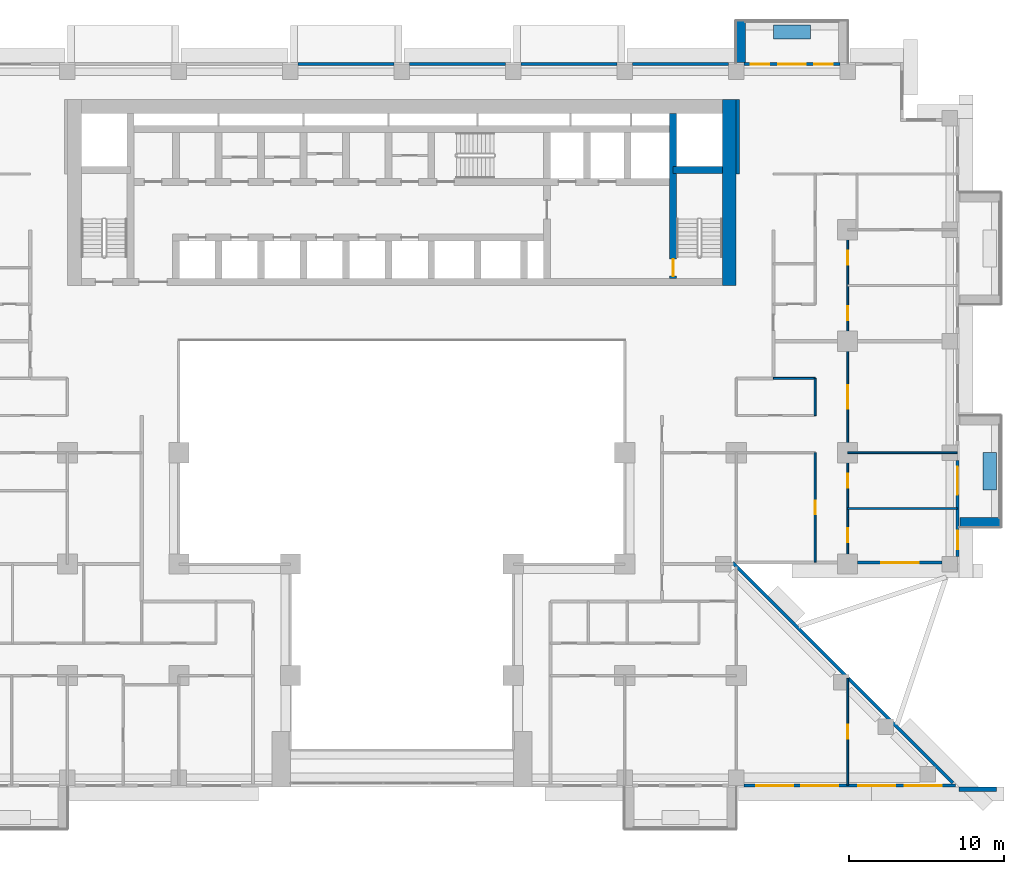
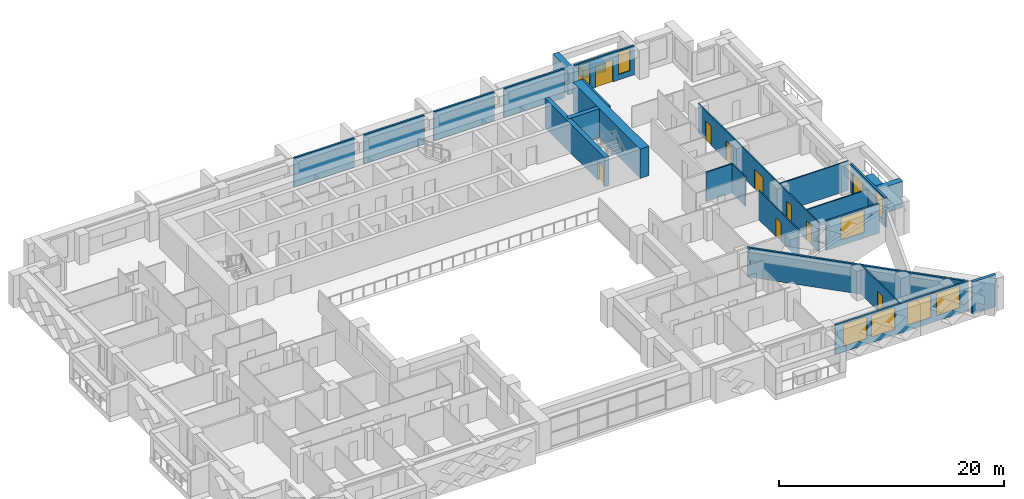
# One storey, part 11 of 16: 25 walls, 10 doors, 8 windows, 18 openings.
"""IFC4 building model written with IfcOpenShell, lengths in metres."""

from ifc_helpers import new_model, si_unit, direction, frame, frame_2d, origin, place, context, subcontext, project, spatial, rectangle, extrude, material, layer, layer_set, type_object, element, fill, save


model = new_model("IFC4")

# Units and contexts
model_context = context("Model", 3, precision=1e-05, world=origin(), true_north=direction((0.0, 1.0)))
body_context = subcontext(model_context, "Body", "Model", "MODEL_VIEW")
ifc_project = project(units=[si_unit("LENGTHUNIT", "METRE"), si_unit("AREAUNIT", "SQUARE_METRE"), si_unit("VOLUMEUNIT", "CUBIC_METRE"), si_unit("PLANEANGLEUNIT", "RADIAN"), si_unit("MASSUNIT", "GRAM", prefix="KILO")], contexts=[model_context])

# Site, building, storey
site_placement = place(None, origin())
site = spatial("IfcSite", under=ifc_project, at=site_placement, CompositionType="ELEMENT")
building_placement = place(site_placement, origin())
building = spatial("IfcBuilding", under=site, at=building_placement, Name="Saffron Iwan Residences", CompositionType="ELEMENT")
storey_placement = place(building_placement, frame((0.0, 0.0, 65.5)))
storey = spatial("IfcBuildingStorey", under=building, at=storey_placement, Name="L16", CompositionType="ELEMENT", Elevation=65.5)

# Walls
ifc_material_1 = material(Name="Concrete C50/60 white painted", Category="concrete")
ifc_layer_1 = layer(ifc_material_1, 0.60009765625)
ifc_layer_set_1 = layer_set([ifc_layer_1], Name="Concrete C50/60 white painted")
wall_type_1 = type_object("IfcWallType", Name="BALCONY FIN 600", PredefinedType="SOLIDWALL", material=ifc_layer_set_1)
wall_1_placement = place(storey_placement, frame((86.449951171875, 50.699951171875, 0.0), z_axis=(0.0, 0.0, 1.0), x_axis=(1.0, 0.0, 0.0)))
element("IfcWall", 1, at=wall_1_placement, inside=storey, type_object=wall_type_1, Name="Balcony fin L16 F2-0a", PredefinedType="SOLIDWALL", context=body_context, shape_type="SweptSolid", body=[
    extrude(rectangle(XDim=2.650146484375, YDim=0.60009765625, at=frame_2d((1.3251953125, 0.0))), origin(), (0.0, 0.0, 1.0), 2.85009765625),
])
wall_2_placement = place(storey_placement, frame((72.300048828125, 80.39990234375, 0.0), z_axis=(0.0, 0.0, 1.0), x_axis=(0.0, 1.0, 0.0)))
element("IfcWall", 2, at=wall_2_placement, inside=storey, type_object=wall_type_1, Name="Balcony fin L16 F5-0b", PredefinedType="SOLIDWALL", context=body_context, shape_type="SweptSolid", body=[
    extrude(rectangle(XDim=2.7001953125, YDim=0.60009765625, at=frame_2d((1.35009765625, 0.0))), origin(), (0.0, 0.0, 1.0), 2.85009765625),
])
ifc_material_2 = material(Name="Concrete C35/45 white painted", Category="concrete")
ifc_layer_2 = layer(ifc_material_2, 0.14990234375)
ifc_layer_set_2 = layer_set([ifc_layer_2], Name="Concrete C35/45 white painted")
wall_type_2 = type_object("IfcWallType", Name="BALCONY PLANTER", PredefinedType="SOLIDWALL", material=ifc_layer_set_2)
wall_3_placement = place(storey_placement, frame((88.375, 52.800048828125, 0.0), z_axis=(0.0, 0.0, 1.0), x_axis=(0.0, 1.0, 0.0)))
element("IfcWall", 3, at=wall_3_placement, inside=storey, type_object=wall_type_2, Name="PLANTER L16 F2-0", PredefinedType="SOLIDWALL", context=body_context, shape_type="SweptSolid", body=[
    extrude(rectangle(XDim=2.39990234375, YDim=0.89990234375, at=frame_2d((1.199951171875, 0.0))), origin(), (0.0, 0.0, 1.0), 0.89990234375),
])
wall_4_placement = place(storey_placement, frame((76.800048828125, 82.375, 0.0), z_axis=(0.0, 0.0, 1.0), x_axis=(-1.0, 0.0, 0.0)))
element("IfcWall", 4, at=wall_4_placement, inside=storey, type_object=wall_type_2, Name="PLANTER L16 F5-0", PredefinedType="SOLIDWALL", context=body_context, shape_type="SweptSolid", body=[
    extrude(rectangle(XDim=2.400146484375, YDim=0.89990234375, at=frame_2d((1.2001953125, 0.0))), origin(), (0.0, 0.0, 1.0), 0.89990234375),
])
ifc_material_3 = material(Name="Concrete C40/50", Category="concrete")
ifc_layer_3 = layer(ifc_material_3, 0.199951171875)
ifc_layer_set_3 = layer_set([ifc_layer_3], Name="Concrete C40/50")
wall_type_3 = type_object("IfcWallType", Name="EXTERNAL WALL 200", PredefinedType="SOLIDWALL", material=ifc_layer_set_3)
wall_5_placement = place(storey_placement, frame((85.995849609375, 33.862548828125, 0.0), z_axis=(0.0, 0.0, 1.0), x_axis=(-0.707100718496, 0.707112843825, 0.0)))
element("IfcWall", 5, at=wall_5_placement, inside=storey, type_object=wall_type_3, Name="External wall L16 F0.0", PredefinedType="SOLIDWALL", context=body_context, shape_type="SweptSolid", body=[
    extrude(rectangle(XDim=20.134765625, YDim=0.199951171875, at=frame_2d((10.0673828125, 0.0))), origin(), (0.0, 0.0, 1.0), 3.179931640625),
])

# Wall, opening, window
wall_6_placement = place(storey_placement, frame((79.85009765625, 48.10009765625, 0.0), z_axis=(0.0, 0.0, 1.0), x_axis=(1.0, 0.0, 0.0)))
wall_6 = element("IfcWall", 6, at=wall_6_placement, inside=storey, type_object=wall_type_3, Name="External wall L16 F1.1", PredefinedType="SOLIDWALL", context=body_context, shape_type="SweptSolid", body=[
    extrude(rectangle(XDim=5.449951171875, YDim=0.199951171875, at=frame_2d((2.72509765625, 0.0))), origin(), (0.0, 0.0, 1.0), 3.179931640625),
])
opening_1_placement = place(wall_6_placement, frame((1.52490234375, 0.0, 0.60009765625)))
opening_1 = element("IfcOpeningElement", 7, at=opening_1_placement, cuts=wall_6, Name="Opening W1", PredefinedType="OPENING", context=body_context, shape_type="SweptSolid", body=[
    extrude(rectangle(XDim=2.39990234375, YDim=2.39990234375, at=frame_2d((1.199951171875, 1.199951171875))), frame((0.0, 0.10986328125, 0.0), z_axis=(0.0, -1.0, 0.0), x_axis=(1.0, 0.0, 0.0)), (0.0, 0.0, 1.0), 0.219970703125),
])
ifc_material_4 = material(Name="Clear glass, laminated double glazed", Category="glass")
window_type_1 = type_object("IfcWindowType", Name="WINDOW 2400 x 2400", PartitioningType="DOUBLE_PANEL_VERTICAL", PredefinedType="WINDOW", material=ifc_material_4)
window_1_placement = place(opening_1_placement, origin())
window_1 = element("IfcWindow", 8, at=window_1_placement, inside=storey, type_object=window_type_1, Name="Window L16 F1.0", OverallHeight=2.39990234375, OverallWidth=2.39990234375, PartitioningType="DOUBLE_PANEL_VERTICAL", PredefinedType="WINDOW", context=body_context, shape_type="SweptSolid", body=[
    extrude(rectangle(XDim=2.39990234375, YDim=2.39990234375, at=frame_2d((1.199951171875, 1.199951171875))), frame((0.0, 0.030029296875, 0.0), z_axis=(0.0, -1.0, 0.0), x_axis=(1.0, 0.0, 0.0)), (0.0, 0.0, 1.0), 0.06005859375),
])
fill(opening_1, window_1)

# Wall, openings, door, window
wall_7_placement = place(storey_placement, frame((86.300048828125, 48.5, 0.0), z_axis=(0.0, 0.0, 1.0), x_axis=(0.0, 1.0, 0.0)))
wall_7 = element("IfcWall", 9, at=wall_7_placement, inside=storey, type_object=wall_type_3, Name="External wall L16 F2.0", PredefinedType="SOLIDWALL", context=body_context, shape_type="SweptSolid", body=[
    extrude(rectangle(XDim=6.199951171875, YDim=0.199951171875, at=frame_2d((3.10009765625, 0.0))), origin(), (0.0, 0.0, 1.0), 3.179931640625),
])
opening_2_placement = place(wall_7_placement, frame((4.0, 0.0, 0.0)))
opening_2 = element("IfcOpeningElement", 10, at=opening_2_placement, cuts=wall_7, Name="Opening BD1", PredefinedType="OPENING", context=body_context, shape_type="SweptSolid", body=[
    extrude(rectangle(XDim=1.800048828125, YDim=2.39990234375, at=frame_2d((0.89990234375, 1.199951171875))), frame((0.0, 0.10986328125, 0.0), z_axis=(0.0, -1.0, 0.0), x_axis=(1.0, 0.0, 0.0)), (0.0, 0.0, 1.0), 0.219970703125),
])
opening_3_placement = place(wall_7_placement, frame((0.449951171875, 0.0, 0.60009765625)))
opening_3 = element("IfcOpeningElement", 11, at=opening_3_placement, cuts=wall_7, Name="Opening W3", PredefinedType="OPENING", context=body_context, shape_type="SweptSolid", body=[
    extrude(rectangle(XDim=1.199951171875, YDim=2.39990234375, at=frame_2d((0.60009765625, 1.199951171875))), frame((0.0, 0.10986328125, 0.0), z_axis=(0.0, -1.0, 0.0), x_axis=(1.0, 0.0, 0.0)), (0.0, 0.0, 1.0), 0.219970703125),
])
door_type_1 = type_object("IfcDoorType", Name="BALCONY DOOR 1800 x 2400", OperationType="DOUBLE_DOOR_SLIDING", PredefinedType="DOOR", material=ifc_material_4)
door_1_placement = place(opening_2_placement, origin())
door_1 = element("IfcDoor", 12, at=door_1_placement, inside=storey, type_object=door_type_1, Name="Balcony door L16 F2.0", OperationType="DOUBLE_DOOR_SLIDING", OverallHeight=2.39990234375, OverallWidth=1.800048828125, PredefinedType="DOOR", context=body_context, shape_type="SweptSolid", body=[
    extrude(rectangle(XDim=1.800048828125, YDim=2.39990234375, at=frame_2d((0.89990234375, 1.199951171875))), frame((0.0, 0.02490234375, 0.0), z_axis=(0.0, -1.0, 0.0), x_axis=(1.0, 0.0, 0.0)), (0.0, 0.0, 1.0), 0.050048828125),
])
fill(opening_2, door_1)
window_type_2 = type_object("IfcWindowType", Name="WINDOW 1200 x 2400", PartitioningType="SINGLE_PANEL", PredefinedType="WINDOW", material=ifc_material_4)
window_2_placement = place(opening_3_placement, origin())
window_2 = element("IfcWindow", 13, at=window_2_placement, inside=storey, type_object=window_type_2, Name="Window L16 F2.1", OverallHeight=2.39990234375, OverallWidth=1.199951171875, PartitioningType="SINGLE_PANEL", PredefinedType="WINDOW", context=body_context, shape_type="SweptSolid", body=[
    extrude(rectangle(XDim=1.199951171875, YDim=2.39990234375, at=frame_2d((0.60009765625, 1.199951171875))), frame((0.0, 0.030029296875, 0.0), z_axis=(0.0, -1.0, 0.0), x_axis=(1.0, 0.0, 0.0)), (0.0, 0.0, 1.0), 0.06005859375),
])
fill(opening_3, window_2)

# Wall, openings, door, windows
wall_8_placement = place(storey_placement, frame((78.699951171875, 80.300048828125, 0.0), z_axis=(0.0, 0.0, 1.0), x_axis=(-1.0, 0.0, 0.0)))
wall_8 = element("IfcWall", 14, at=wall_8_placement, inside=storey, type_object=wall_type_3, Name="External wall L16 F5.1", PredefinedType="SOLIDWALL", context=body_context, shape_type="SweptSolid", body=[
    extrude(rectangle(XDim=6.199951171875, YDim=0.199951171875, at=frame_2d((3.10009765625, 0.0))), origin(), (0.0, 0.0, 1.0), 3.179931640625),
])
opening_4_placement = place(wall_8_placement, frame((2.199951171875, 0.0, 0.0)))
opening_4 = element("IfcOpeningElement", 15, at=opening_4_placement, cuts=wall_8, Name="Opening BD1", PredefinedType="OPENING", context=body_context, shape_type="SweptSolid", body=[
    extrude(rectangle(XDim=1.800048828125, YDim=2.39990234375, at=frame_2d((0.89990234375, 1.199951171875))), frame((0.0, 0.10986328125, 0.0), z_axis=(0.0, -1.0, 0.0), x_axis=(1.0, 0.0, 0.0)), (0.0, 0.0, 1.0), 0.219970703125),
])
opening_5_placement = place(wall_8_placement, frame((0.449951171875, 0.0, 0.60009765625)))
opening_5 = element("IfcOpeningElement", 16, at=opening_5_placement, cuts=wall_8, Name="Opening W3", PredefinedType="OPENING", context=body_context, shape_type="SweptSolid", body=[
    extrude(rectangle(XDim=1.199951171875, YDim=2.39990234375, at=frame_2d((0.60009765625, 1.199951171875))), frame((0.0, 0.10986328125, 0.0), z_axis=(0.0, -1.0, 0.0), x_axis=(1.0, 0.0, 0.0)), (0.0, 0.0, 1.0), 0.219970703125),
])
opening_6_placement = place(wall_8_placement, frame((4.550048828125, 0.0, 0.60009765625)))
opening_6 = element("IfcOpeningElement", 17, at=opening_6_placement, cuts=wall_8, Name="Opening W3", PredefinedType="OPENING", context=body_context, shape_type="SweptSolid", body=[
    extrude(rectangle(XDim=1.199951171875, YDim=2.39990234375, at=frame_2d((0.60009765625, 1.199951171875))), frame((0.0, 0.10986328125, 0.0), z_axis=(0.0, -1.0, 0.0), x_axis=(1.0, 0.0, 0.0)), (0.0, 0.0, 1.0), 0.219970703125),
])
door_2_placement = place(opening_4_placement, origin())
door_2 = element("IfcDoor", 18, at=door_2_placement, inside=storey, type_object=door_type_1, Name="Balcony door L16 F5.0", OperationType="DOUBLE_DOOR_SLIDING", OverallHeight=2.39990234375, OverallWidth=1.800048828125, PredefinedType="DOOR", context=body_context, shape_type="SweptSolid", body=[
    extrude(rectangle(XDim=1.800048828125, YDim=2.39990234375, at=frame_2d((0.89990234375, 1.199951171875))), frame((0.0, 0.02490234375, 0.0), z_axis=(0.0, -1.0, 0.0), x_axis=(1.0, 0.0, 0.0)), (0.0, 0.0, 1.0), 0.050048828125),
])
fill(opening_4, door_2)
window_3_placement = place(opening_5_placement, origin())
window_3 = element("IfcWindow", 19, at=window_3_placement, inside=storey, type_object=window_type_2, Name="Window L16 F5.1", OverallHeight=2.39990234375, OverallWidth=1.199951171875, PartitioningType="SINGLE_PANEL", PredefinedType="WINDOW", context=body_context, shape_type="SweptSolid", body=[
    extrude(rectangle(XDim=1.199951171875, YDim=2.39990234375, at=frame_2d((0.60009765625, 1.199951171875))), frame((0.0, 0.030029296875, 0.0), z_axis=(0.0, -1.0, 0.0), x_axis=(1.0, 0.0, 0.0)), (0.0, 0.0, 1.0), 0.06005859375),
])
fill(opening_5, window_3)
window_4_placement = place(opening_6_placement, origin())
window_4 = element("IfcWindow", 20, at=window_4_placement, inside=storey, type_object=window_type_2, Name="Window L16 F5.2", OverallHeight=2.39990234375, OverallWidth=1.199951171875, PartitioningType="SINGLE_PANEL", PredefinedType="WINDOW", context=body_context, shape_type="SweptSolid", body=[
    extrude(rectangle(XDim=1.199951171875, YDim=2.39990234375, at=frame_2d((0.60009765625, 1.199951171875))), frame((0.0, 0.030029296875, 0.0), z_axis=(0.0, -1.0, 0.0), x_axis=(1.0, 0.0, 0.0)), (0.0, 0.0, 1.0), 0.06005859375),
])
fill(opening_6, window_4)

# Walls
for number, where, z_axis, x_axis, name in (
    (21, (71.5, 80.300048828125, 0.0), (0.0, 0.0, 1.0), (-1.0, 0.0, 0.0), "External wall L16 F5.2"),
    (22, (64.300048828125, 80.300048828125, 0.0), (0.0, 0.0, 1.0), (-1.0, 0.0, 0.0), "External wall L16 F5.3"),
):
    element("IfcWall", number, at=place(storey_placement, frame(where, z_axis=z_axis, x_axis=x_axis)), inside=storey, type_object=wall_type_3, Name=name, PredefinedType="SOLIDWALL", context=body_context, shape_type="SweptSolid", body=[
        extrude(rectangle(XDim=6.199951171875, YDim=0.199951171875, at=frame_2d((3.10009765625, 0.0))), origin(), (0.0, 0.0, 1.0), 3.179931640625),
    ])
wall_9_placement = place(storey_placement, frame((57.10009765625, 80.300048828125, 0.0), z_axis=(0.0, 0.0, 1.0), x_axis=(-1.0, 0.0, 0.0)))
element("IfcWall", 23, at=wall_9_placement, inside=storey, type_object=wall_type_3, Name="External wall L16 F5.4", PredefinedType="SOLIDWALL", context=body_context, shape_type="SweptSolid", body=[
    extrude(rectangle(XDim=6.2001953125, YDim=0.199951171875, at=frame_2d((3.10009765625, 0.0))), origin(), (0.0, 0.0, 1.0), 3.179931640625),
])
wall_10_placement = place(storey_placement, frame((49.89990234375, 80.300048828125, 0.0), z_axis=(0.0, 0.0, 1.0), x_axis=(-1.0, 0.0, 0.0)))
element("IfcWall", 24, at=wall_10_placement, inside=storey, type_object=wall_type_3, Name="External wall L16 F5.5", PredefinedType="SOLIDWALL", context=body_context, shape_type="SweptSolid", body=[
    extrude(rectangle(XDim=6.199951171875, YDim=0.199951171875, at=frame_2d((3.10009765625, 0.0))), origin(), (0.0, 0.0, 1.0), 3.179931640625),
])

# Wall, openings, windows
wall_11_placement = place(storey_placement, frame((72.5, 33.699951171875, 0.0), z_axis=(0.0, 0.0, 1.0), x_axis=(1.0, 0.0, 0.0)))
wall_11 = element("IfcWall", 25, at=wall_11_placement, inside=storey, type_object=wall_type_3, Name="External wall L16 F11.6", PredefinedType="SOLIDWALL", context=body_context, shape_type="SweptSolid", body=[
    extrude(rectangle(XDim=13.65869140625, YDim=0.199951171875, at=frame_2d((6.829345703125, 0.0))), origin(), (0.0, 0.0, 1.0), 3.179931640625),
])
opening_7_placement = place(wall_11_placement, frame((0.800048828125, 0.0, 0.60009765625)))
opening_7 = element("IfcOpeningElement", 26, at=opening_7_placement, cuts=wall_11, Name="Opening W1", PredefinedType="OPENING", context=body_context, shape_type="SweptSolid", body=[
    extrude(rectangle(XDim=2.39990234375, YDim=2.39990234375, at=frame_2d((1.199951171875, 1.199951171875))), frame((0.0, 0.10986328125, 0.0), z_axis=(0.0, -1.0, 0.0), x_axis=(1.0, 0.0, 0.0)), (0.0, 0.0, 1.0), 0.219970703125),
])
opening_8_placement = place(wall_11_placement, frame((3.699951171875, 0.0, 0.60009765625)))
opening_8 = element("IfcOpeningElement", 27, at=opening_8_placement, cuts=wall_11, Name="Opening W1", PredefinedType="OPENING", context=body_context, shape_type="SweptSolid", body=[
    extrude(rectangle(XDim=2.39990234375, YDim=2.39990234375, at=frame_2d((1.199951171875, 1.199951171875))), frame((0.0, 0.10986328125, 0.0), z_axis=(0.0, -1.0, 0.0), x_axis=(1.0, 0.0, 0.0)), (0.0, 0.0, 1.0), 0.219970703125),
])
opening_9_placement = place(wall_11_placement, frame((7.38623046875, 0.0, 0.60009765625)))
opening_9 = element("IfcOpeningElement", 28, at=opening_9_placement, cuts=wall_11, Name="Opening W1", PredefinedType="OPENING", context=body_context, shape_type="SweptSolid", body=[
    extrude(rectangle(XDim=2.39990234375, YDim=2.39990234375, at=frame_2d((1.199951171875, 1.199951171875))), frame((0.0, 0.10986328125, 0.0), z_axis=(0.0, -1.0, 0.0), x_axis=(1.0, 0.0, 0.0)), (0.0, 0.0, 1.0), 0.219970703125),
])
opening_10_placement = place(wall_11_placement, frame((10.372314453125, 0.0, 0.60009765625)))
opening_10 = element("IfcOpeningElement", 29, at=opening_10_placement, cuts=wall_11, Name="Opening W1", PredefinedType="OPENING", context=body_context, shape_type="SweptSolid", body=[
    extrude(rectangle(XDim=2.39990234375, YDim=2.39990234375, at=frame_2d((1.199951171875, 1.199951171875))), frame((0.0, 0.10986328125, 0.0), z_axis=(0.0, -1.0, 0.0), x_axis=(1.0, 0.0, 0.0)), (0.0, 0.0, 1.0), 0.219970703125),
])
window_5_placement = place(opening_7_placement, origin())
window_5 = element("IfcWindow", 30, at=window_5_placement, inside=storey, type_object=window_type_1, Name="Window L16 F11.0", OverallHeight=2.39990234375, OverallWidth=2.39990234375, PartitioningType="DOUBLE_PANEL_VERTICAL", PredefinedType="WINDOW", context=body_context, shape_type="SweptSolid", body=[
    extrude(rectangle(XDim=2.39990234375, YDim=2.39990234375, at=frame_2d((1.199951171875, 1.199951171875))), frame((0.0, 0.030029296875, 0.0), z_axis=(0.0, -1.0, 0.0), x_axis=(1.0, 0.0, 0.0)), (0.0, 0.0, 1.0), 0.06005859375),
])
fill(opening_7, window_5)
window_6_placement = place(opening_8_placement, origin())
window_6 = element("IfcWindow", 31, at=window_6_placement, inside=storey, type_object=window_type_1, Name="Window L16 F11.1", OverallHeight=2.39990234375, OverallWidth=2.39990234375, PartitioningType="DOUBLE_PANEL_VERTICAL", PredefinedType="WINDOW", context=body_context, shape_type="SweptSolid", body=[
    extrude(rectangle(XDim=2.39990234375, YDim=2.39990234375, at=frame_2d((1.199951171875, 1.199951171875))), frame((0.0, 0.030029296875, 0.0), z_axis=(0.0, -1.0, 0.0), x_axis=(1.0, 0.0, 0.0)), (0.0, 0.0, 1.0), 0.06005859375),
])
fill(opening_8, window_6)
window_7_placement = place(opening_9_placement, origin())
window_7 = element("IfcWindow", 32, at=window_7_placement, inside=storey, type_object=window_type_1, Name="Window L16 F11.2", OverallHeight=2.39990234375, OverallWidth=2.39990234375, PartitioningType="DOUBLE_PANEL_VERTICAL", PredefinedType="WINDOW", context=body_context, shape_type="SweptSolid", body=[
    extrude(rectangle(XDim=2.39990234375, YDim=2.39990234375, at=frame_2d((1.199951171875, 1.199951171875))), frame((0.0, 0.030029296875, 0.0), z_axis=(0.0, -1.0, 0.0), x_axis=(1.0, 0.0, 0.0)), (0.0, 0.0, 1.0), 0.06005859375),
])
fill(opening_9, window_7)
window_8_placement = place(opening_10_placement, origin())
window_8 = element("IfcWindow", 33, at=window_8_placement, inside=storey, type_object=window_type_1, Name="Window L16 F11.3", OverallHeight=2.39990234375, OverallWidth=2.39990234375, PartitioningType="DOUBLE_PANEL_VERTICAL", PredefinedType="WINDOW", context=body_context, shape_type="SweptSolid", body=[
    extrude(rectangle(XDim=2.39990234375, YDim=2.39990234375, at=frame_2d((1.199951171875, 1.199951171875))), frame((0.0, 0.030029296875, 0.0), z_axis=(0.0, -1.0, 0.0), x_axis=(1.0, 0.0, 0.0)), (0.0, 0.0, 1.0), 0.06005859375),
])
fill(opening_10, window_8)

# Walls
ifc_material_5 = material(Name="Gypsum board partition")
ifc_layer_4 = layer(ifc_material_5, 0.1201171875)
ifc_layer_set_4 = layer_set([ifc_layer_4], Name="Gypsum board partition")
wall_type_4 = type_object("IfcWallType", Name="Flat partition 120", PredefinedType="PARTITIONING", material=ifc_layer_set_4)
wall_12_placement = place(storey_placement, frame((79.199951171875, 51.60009765625, 0.0), z_axis=(0.0, 0.0, 1.0), x_axis=(1.0, 0.0, 0.0)))
element("IfcWall", 34, at=wall_12_placement, inside=storey, type_object=wall_type_4, Name="W-L16-PART-h51.6-79.2", PredefinedType="PARTITIONING", context=body_context, shape_type="SweptSolid", body=[
    extrude(rectangle(XDim=7.074951171875, YDim=0.1201171875, at=frame_2d((3.53759765625, 0.0))), origin(), (0.0, 0.0, 1.0), 2.280029296875),
])
wall_13_placement = place(storey_placement, frame((79.199951171875, 55.199951171875, 0.0), z_axis=(0.0, 0.0, 1.0), x_axis=(1.0, 0.0, 0.0)))
element("IfcWall", 35, at=wall_13_placement, inside=storey, type_object=wall_type_4, Name="W-L16-PART-h55.2-79.2", PredefinedType="PARTITIONING", context=body_context, shape_type="SweptSolid", body=[
    extrude(rectangle(XDim=7.074951171875, YDim=0.1201171875, at=frame_2d((3.53759765625, 0.0))), origin(), (0.0, 0.0, 1.0), 3.179931640625),
])
wall_14_placement = place(storey_placement, frame((74.39990234375, 60.0, 0.0), z_axis=(0.0, 0.0, 1.0), x_axis=(1.0, 0.0, 0.0)))
element("IfcWall", 36, at=wall_14_placement, inside=storey, type_object=wall_type_4, Name="W-L16-PART-h60-74.4", PredefinedType="PARTITIONING", context=body_context, shape_type="SweptSolid", body=[
    extrude(rectangle(XDim=2.7001953125, YDim=0.1201171875, at=frame_2d((1.35009765625, 0.0))), origin(), (0.0, 0.0, 1.0), 3.179931640625),
])

# Wall, opening, door
wall_15_placement = place(storey_placement, frame((77.10009765625, 48.125, 0.0), z_axis=(0.0, 0.0, 1.0), x_axis=(0.0, 1.0, 0.0)))
wall_15 = element("IfcWall", 37, at=wall_15_placement, inside=storey, type_object=wall_type_4, Name="W-L16-PART-v77.1-48.125", PredefinedType="PARTITIONING", context=body_context, shape_type="SweptSolid", body=[
    extrude(rectangle(XDim=7.074951171875, YDim=0.1201171875, at=frame_2d((3.53759765625, 0.0))), origin(), (0.0, 0.0, 1.0), 3.179931640625),
])
opening_11_placement = place(wall_15_placement, frame((3.08740234375, 0.0, 0.0)))
opening_11 = element("IfcOpeningElement", 38, at=opening_11_placement, cuts=wall_15, Name="Opening FD2", PredefinedType="OPENING", context=body_context, shape_type="SweptSolid", body=[
    extrude(rectangle(XDim=0.89990234375, YDim=2.10009765625, at=frame_2d((0.449951171875, 1.050048828125))), frame((0.0, 0.070068359375, 0.0), z_axis=(0.0, -1.0, 0.0), x_axis=(1.0, 0.0, 0.0)), (0.0, 0.0, 1.0), 0.14013671875),
])
ifc_material_6 = material(Name="Timber door", Category="wood")
door_type_2 = type_object("IfcDoorType", Name="Flat door 900", OperationType="NOTDEFINED", PredefinedType="DOOR", material=ifc_material_6)
door_3_placement = place(opening_11_placement, origin())
door_3 = element("IfcDoor", 39, at=door_3_placement, inside=storey, type_object=door_type_2, Name="Door L16-024", OperationType="SINGLE_SWING_RIGHT", OverallHeight=2.10009765625, OverallWidth=0.89990234375, PredefinedType="DOOR", context=body_context, shape_type="SweptSolid", body=[
    extrude(rectangle(XDim=0.89990234375, YDim=2.10009765625, at=frame_2d((0.449951171875, 1.050048828125))), frame((0.0, 0.02490234375, 0.0), z_axis=(0.0, -1.0, 0.0), x_axis=(1.0, 0.0, 0.0)), (0.0, 0.0, 1.0), 0.050048828125),
])
fill(opening_11, door_3)

# Wall
wall_16_placement = place(storey_placement, frame((77.10009765625, 57.60009765625, 0.0), z_axis=(0.0, 0.0, 1.0), x_axis=(0.0, 1.0, 0.0)))
element("IfcWall", 40, at=wall_16_placement, inside=storey, type_object=wall_type_4, Name="W-L16-PART-v77.1-57.6", PredefinedType="PARTITIONING", context=body_context, shape_type="SweptSolid", body=[
    extrude(rectangle(XDim=2.39990234375, YDim=0.1201171875, at=frame_2d((1.199951171875, 0.0))), origin(), (0.0, 0.0, 1.0), 3.179931640625),
])

# Wall, opening, door
wall_17_placement = place(storey_placement, frame((79.199951171875, 33.72509765625, 0.0), z_axis=(0.0, 0.0, 1.0), x_axis=(0.0, 1.0, 0.0)))
wall_17 = element("IfcWall", 41, at=wall_17_placement, inside=storey, type_object=wall_type_4, Name="W-L16-PART-v79.2-33.725", PredefinedType="PARTITIONING", context=body_context, shape_type="SweptSolid", body=[
    extrude(rectangle(XDim=6.89794921875, YDim=0.1201171875, at=frame_2d((3.448974609375, 0.0))), origin(), (0.0, 0.0, 1.0), 3.179931640625),
])
opening_12_placement = place(wall_17_placement, frame((2.9990234375, 0.0, 0.0)))
opening_12 = element("IfcOpeningElement", 42, at=opening_12_placement, cuts=wall_17, Name="Opening FD2", PredefinedType="OPENING", context=body_context, shape_type="SweptSolid", body=[
    extrude(rectangle(XDim=0.89990234375, YDim=2.10009765625, at=frame_2d((0.449951171875, 1.050048828125))), frame((0.0, 0.070068359375, 0.0), z_axis=(0.0, -1.0, 0.0), x_axis=(1.0, 0.0, 0.0)), (0.0, 0.0, 1.0), 0.14013671875),
])
door_4_placement = place(opening_12_placement, origin())
door_4 = element("IfcDoor", 43, at=door_4_placement, inside=storey, type_object=door_type_2, Name="Door L16-049", OperationType="SINGLE_SWING_LEFT", OverallHeight=2.10009765625, OverallWidth=0.89990234375, PredefinedType="DOOR", context=body_context, shape_type="SweptSolid", body=[
    extrude(rectangle(XDim=0.89990234375, YDim=2.10009765625, at=frame_2d((0.449951171875, 1.050048828125))), frame((0.0, 0.02490234375, 0.0), z_axis=(0.0, -1.0, 0.0), x_axis=(1.0, 0.0, 0.0)), (0.0, 0.0, 1.0), 0.050048828125),
])
fill(opening_12, door_4)

# Wall, openings, doors
wall_18_placement = place(storey_placement, frame((79.199951171875, 48.125, 0.0), z_axis=(0.0, 0.0, 1.0), x_axis=(0.0, 1.0, 0.0)))
wall_18 = element("IfcWall", 44, at=wall_18_placement, inside=storey, type_object=wall_type_4, Name="W-L16-PART-v79.2-48.125", PredefinedType="PARTITIONING", context=body_context, shape_type="SweptSolid", body=[
    extrude(rectangle(XDim=21.47509765625, YDim=0.1201171875, at=frame_2d((10.737548828125, 0.0))), origin(), (0.0, 0.0, 1.0), 3.179931640625),
])
opening_13_placement = place(wall_18_placement, frame((1.28759765625, 0.0, 0.0)))
opening_13 = element("IfcOpeningElement", 45, at=opening_13_placement, cuts=wall_18, Name="Opening FD2", PredefinedType="OPENING", context=body_context, shape_type="SweptSolid", body=[
    extrude(rectangle(XDim=0.89990234375, YDim=2.10009765625, at=frame_2d((0.449951171875, 1.050048828125))), frame((0.0, 0.070068359375, 0.0), z_axis=(0.0, -1.0, 0.0), x_axis=(1.0, 0.0, 0.0)), (0.0, 0.0, 1.0), 0.14013671875),
])
opening_14_placement = place(wall_18_placement, frame((4.824951171875, 0.0, 0.0)))
opening_14 = element("IfcOpeningElement", 46, at=opening_14_placement, cuts=wall_18, Name="Opening FD2", PredefinedType="OPENING", context=body_context, shape_type="SweptSolid", body=[
    extrude(rectangle(XDim=0.89990234375, YDim=2.10009765625, at=frame_2d((0.449951171875, 1.050048828125))), frame((0.0, 0.070068359375, 0.0), z_axis=(0.0, -1.0, 0.0), x_axis=(1.0, 0.0, 0.0)), (0.0, 0.0, 1.0), 0.14013671875),
])
opening_15_placement = place(wall_18_placement, frame((9.925048828125, 0.0, 0.0)))
opening_15 = element("IfcOpeningElement", 47, at=opening_15_placement, cuts=wall_18, Name="Opening FD4", PredefinedType="OPENING", context=body_context, shape_type="SweptSolid", body=[
    extrude(rectangle(XDim=1.5, YDim=2.10009765625, at=frame_2d((0.75, 1.050048828125))), frame((0.0, 0.070068359375, 0.0), z_axis=(0.0, -1.0, 0.0), x_axis=(1.0, 0.0, 0.0)), (0.0, 0.0, 1.0), 0.14013671875),
])
opening_16_placement = place(wall_18_placement, frame((15.625, 0.0, 0.0)))
opening_16 = element("IfcOpeningElement", 48, at=opening_16_placement, cuts=wall_18, Name="Opening FD2", PredefinedType="OPENING", context=body_context, shape_type="SweptSolid", body=[
    extrude(rectangle(XDim=0.89990234375, YDim=2.10009765625, at=frame_2d((0.449951171875, 1.050048828125))), frame((0.0, 0.070068359375, 0.0), z_axis=(0.0, -1.0, 0.0), x_axis=(1.0, 0.0, 0.0)), (0.0, 0.0, 1.0), 0.14013671875),
])
opening_17_placement = place(wall_18_placement, frame((19.22509765625, 0.0, 0.0)))
opening_17 = element("IfcOpeningElement", 49, at=opening_17_placement, cuts=wall_18, Name="Opening FD2", PredefinedType="OPENING", context=body_context, shape_type="SweptSolid", body=[
    extrude(rectangle(XDim=0.89990234375, YDim=2.10009765625, at=frame_2d((0.449951171875, 1.050048828125))), frame((0.0, 0.070068359375, 0.0), z_axis=(0.0, -1.0, 0.0), x_axis=(1.0, 0.0, 0.0)), (0.0, 0.0, 1.0), 0.14013671875),
])
door_type_3 = type_object("IfcDoorType", Name="Double door 1500", OperationType="NOTDEFINED", PredefinedType="DOOR", material=ifc_material_6)
door_5_placement = place(opening_15_placement, origin())
door_5 = element("IfcDoor", 50, at=door_5_placement, inside=storey, type_object=door_type_3, Name="Door L16-023", OperationType="SINGLE_SWING_LEFT", OverallHeight=2.10009765625, OverallWidth=1.5, PredefinedType="DOOR", context=body_context, shape_type="SweptSolid", body=[
    extrude(rectangle(XDim=1.5, YDim=2.10009765625, at=frame_2d((0.75, 1.050048828125))), frame((0.0, 0.02490234375, 0.0), z_axis=(0.0, -1.0, 0.0), x_axis=(1.0, 0.0, 0.0)), (0.0, 0.0, 1.0), 0.050048828125),
])
fill(opening_15, door_5)
door_6_placement = place(opening_13_placement, origin())
door_6 = element("IfcDoor", 51, at=door_6_placement, inside=storey, type_object=door_type_2, Name="Door L16-021", OperationType="SINGLE_SWING_RIGHT", OverallHeight=2.10009765625, OverallWidth=0.89990234375, PredefinedType="DOOR", context=body_context, shape_type="SweptSolid", body=[
    extrude(rectangle(XDim=0.89990234375, YDim=2.10009765625, at=frame_2d((0.449951171875, 1.050048828125))), frame((0.0, 0.02490234375, 0.0), z_axis=(0.0, -1.0, 0.0), x_axis=(1.0, 0.0, 0.0)), (0.0, 0.0, 1.0), 0.050048828125),
])
fill(opening_13, door_6)
door_7_placement = place(opening_14_placement, origin())
door_7 = element("IfcDoor", 52, at=door_7_placement, inside=storey, type_object=door_type_2, Name="Door L16-022", OperationType="SINGLE_SWING_LEFT", OverallHeight=2.10009765625, OverallWidth=0.89990234375, PredefinedType="DOOR", context=body_context, shape_type="SweptSolid", body=[
    extrude(rectangle(XDim=0.89990234375, YDim=2.10009765625, at=frame_2d((0.449951171875, 1.050048828125))), frame((0.0, 0.02490234375, 0.0), z_axis=(0.0, -1.0, 0.0), x_axis=(1.0, 0.0, 0.0)), (0.0, 0.0, 1.0), 0.050048828125),
])
fill(opening_14, door_7)
door_8_placement = place(opening_16_placement, origin())
door_8 = element("IfcDoor", 53, at=door_8_placement, inside=storey, type_object=door_type_2, Name="Door L16-035", OperationType="SINGLE_SWING_LEFT", OverallHeight=2.10009765625, OverallWidth=0.89990234375, PredefinedType="DOOR", context=body_context, shape_type="SweptSolid", body=[
    extrude(rectangle(XDim=0.89990234375, YDim=2.10009765625, at=frame_2d((0.449951171875, 1.050048828125))), frame((0.0, 0.02490234375, 0.0), z_axis=(0.0, -1.0, 0.0), x_axis=(1.0, 0.0, 0.0)), (0.0, 0.0, 1.0), 0.050048828125),
])
fill(opening_16, door_8)
door_9_placement = place(opening_17_placement, origin())
door_9 = element("IfcDoor", 54, at=door_9_placement, inside=storey, type_object=door_type_2, Name="Door L16-036", OperationType="SINGLE_SWING_RIGHT", OverallHeight=2.10009765625, OverallWidth=0.89990234375, PredefinedType="DOOR", context=body_context, shape_type="SweptSolid", body=[
    extrude(rectangle(XDim=0.89990234375, YDim=2.10009765625, at=frame_2d((0.449951171875, 1.050048828125))), frame((0.0, 0.02490234375, 0.0), z_axis=(0.0, -1.0, 0.0), x_axis=(1.0, 0.0, 0.0)), (0.0, 0.0, 1.0), 0.050048828125),
])
fill(opening_17, door_9)

# Walls
ifc_material_7 = material(Name="Fire-rated gypsum board wall")
ifc_layer_5 = layer(ifc_material_7, 0.199951171875)
ifc_layer_set_5 = layer_set([ifc_layer_5], Name="Fire-rated gypsum board wall")
wall_type_5 = type_object("IfcWallType", Name="Gallery wall 200", PredefinedType="SOLIDWALL", material=ifc_layer_set_5)
wall_19_placement = place(storey_placement, frame((72.10009765625, 73.199951171875, 0.0), z_axis=(0.0, 0.0, 1.0), x_axis=(0.0, 1.0, 0.0)))
element("IfcWall", 55, at=wall_19_placement, inside=storey, type_object=wall_type_5, Name="W-L16-CORR-v72-73.2", PredefinedType="SOLIDWALL", context=body_context, shape_type="SweptSolid", body=[
    extrude(rectangle(XDim=4.800048828125, YDim=0.199951171875, at=frame_2d((2.39990234375, 0.0))), origin(), (0.0, 0.0, 1.0), 3.179931640625),
])
ifc_layer_6 = layer(ifc_material_1, 0.300048828125)
ifc_layer_set_6 = layer_set([ifc_layer_6], Name="Concrete C50/60 white painted")
wall_type_6 = type_object("IfcWallType", Name="PROW BLADE 300", PredefinedType="SOLIDWALL", material=ifc_layer_set_6)
wall_20_placement = place(storey_placement, frame((86.39990234375, 33.449951171875, -0.320068359375), z_axis=(0.0, 0.0, 1.0), x_axis=(1.0, 0.0, 0.0)))
element("IfcWall", 56, at=wall_20_placement, inside=storey, type_object=wall_type_6, Name="Prow blade L16", PredefinedType="SOLIDWALL", context=body_context, shape_type="SweptSolid", body=[
    extrude(rectangle(XDim=2.400146484375, YDim=0.300048828125, at=frame_2d((1.2001953125, 0.0))), origin(), (0.0, 0.0, 1.0), 3.5),
])
ifc_material_8 = material(Name="Concrete C60/75", Category="concrete")
ifc_layer_7 = layer(ifc_material_8, 0.449951171875)
ifc_layer_set_7 = layer_set([ifc_layer_7], Name="Concrete C60/75")
wall_type_7 = type_object("IfcWallType", Name="WALL CORE 450 C60/75 3180 HIGH", PredefinedType="SHEAR", material=ifc_layer_set_7)
wall_21_placement = place(storey_placement, frame((67.925048828125, 73.47509765625, 0.0), z_axis=(0.0, 0.0, 1.0), x_axis=(1.0, 0.0, 0.0)))
element("IfcWall", 57, at=wall_21_placement, inside=storey, type_object=wall_type_7, Name="Core wall", PredefinedType="SHEAR", context=body_context, shape_type="SweptSolid", body=[
    extrude(rectangle(XDim=3.175048828125, YDim=0.449951171875, at=frame_2d((1.58740234375, 0.0))), origin(), (0.0, 0.0, 1.0), 3.179931640625),
])

# Wall, opening, door
wall_22_placement = place(storey_placement, frame((67.925048828125, 66.449951171875, 0.0), z_axis=(0.0, 0.0, 1.0), x_axis=(0.0, 1.0, 0.0)))
wall_22 = element("IfcWall", 58, at=wall_22_placement, inside=storey, type_object=wall_type_7, Name="Core wall", PredefinedType="SHEAR", context=body_context, shape_type="SweptSolid", body=[
    extrude(rectangle(XDim=10.650146484375, YDim=0.449951171875, at=frame_2d((5.3251953125, 0.0))), origin(), (0.0, 0.0, 1.0), 3.179931640625),
])
opening_18_placement = place(wall_22_placement, frame((0.14990234375, 0.0, 0.0)))
opening_18 = element("IfcOpeningElement", 59, at=opening_18_placement, cuts=wall_22, Name="Opening SD", PredefinedType="OPENING", context=body_context, shape_type="SweptSolid", body=[
    extrude(rectangle(XDim=1.10009765625, YDim=2.10009765625, at=frame_2d((0.550048828125, 1.050048828125))), frame((0.0, 0.23486328125, 0.0), z_axis=(0.0, -1.0, 0.0), x_axis=(1.0, 0.0, 0.0)), (0.0, 0.0, 1.0), 0.469970703125),
])
ifc_material_9 = material(Name="Steel fire door", Category="steel")
door_type_4 = type_object("IfcDoorType", Name="Stair door 1100", OperationType="NOTDEFINED", PredefinedType="DOOR", material=ifc_material_9)
door_10_placement = place(opening_18_placement, origin())
door_10 = element("IfcDoor", 60, at=door_10_placement, inside=storey, type_object=door_type_4, Name="Stair door ST-E", OperationType="SINGLE_SWING_LEFT", OverallHeight=2.10009765625, OverallWidth=1.10009765625, PredefinedType="DOOR", context=body_context, shape_type="SweptSolid", body=[
    extrude(rectangle(XDim=1.10009765625, YDim=2.10009765625, at=frame_2d((0.550048828125, 1.050048828125))), frame((0.0, 0.02490234375, 0.0), z_axis=(0.0, -1.0, 0.0), x_axis=(1.0, 0.0, 0.0)), (0.0, 0.0, 1.0), 0.050048828125),
])
fill(opening_18, door_10)

# Wall
ifc_layer_8 = layer(ifc_material_8, 0.89990234375)
ifc_layer_set_8 = layer_set([ifc_layer_8], Name="Concrete C60/75")
wall_type_8 = type_object("IfcWallType", Name="WALL CORE 900 C60/75 3180 HIGH", PredefinedType="SHEAR", material=ifc_layer_set_8)
wall_23_placement = place(storey_placement, frame((71.550048828125, 66.0, 0.0), z_axis=(0.0, 0.0, 1.0), x_axis=(0.0, 1.0, 0.0)))
element("IfcWall", 61, at=wall_23_placement, inside=storey, type_object=wall_type_8, Name="Core wall", PredefinedType="SHEAR", context=body_context, shape_type="SweptSolid", body=[
    extrude(rectangle(XDim=12.0, YDim=0.89990234375, at=frame_2d((6.0, 0.0))), origin(), (0.0, 0.0, 1.0), 3.179931640625),
])

save(model, "model.ifc")
